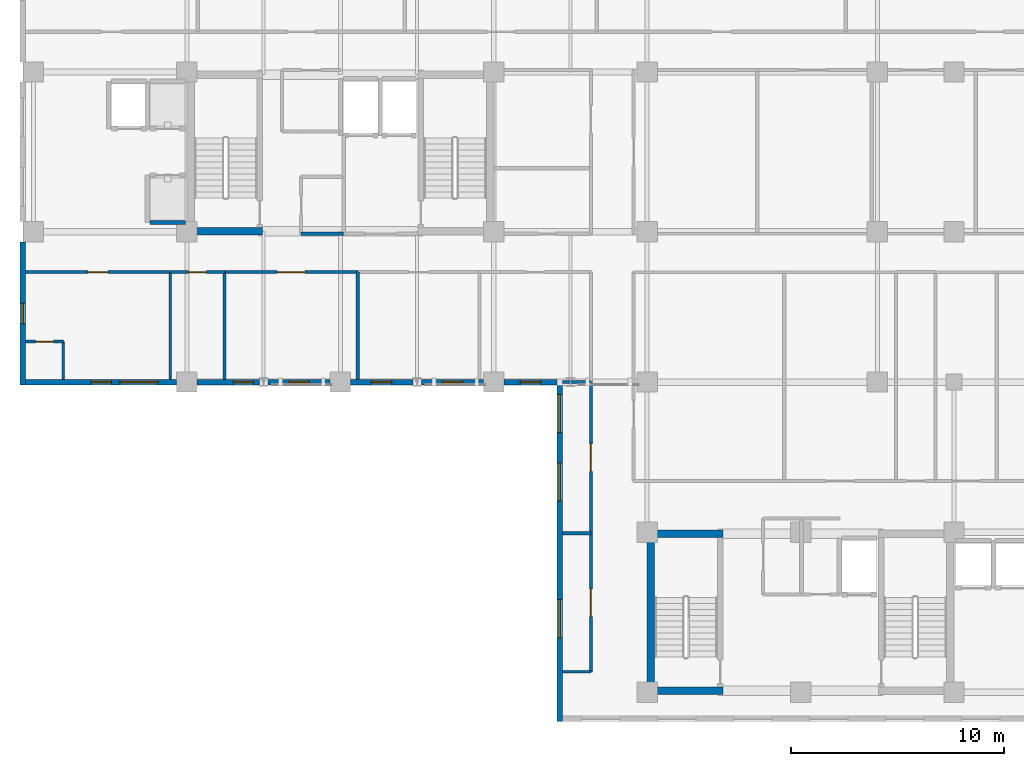
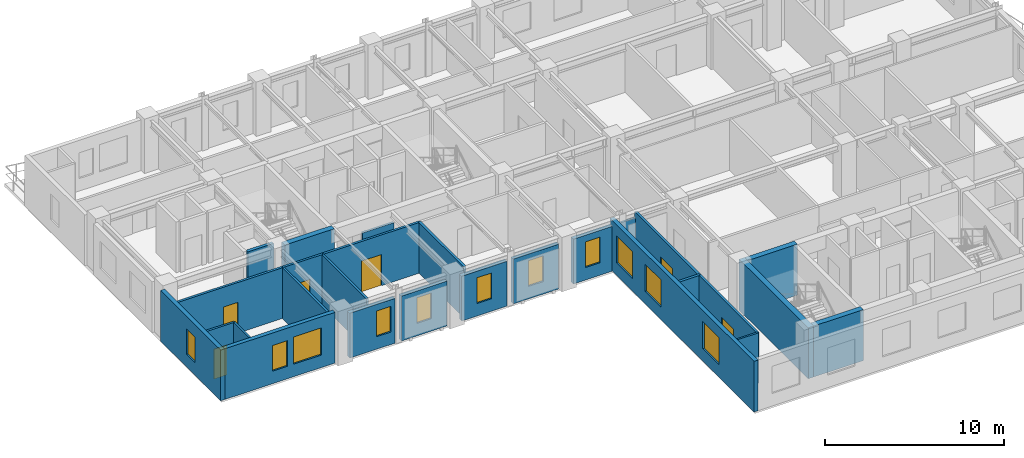
# One storey, part 5 of 14: 27 walls, 11 windows, 6 doors, 17 openings.
"""IFC4 building model written with IfcOpenShell, lengths in metres."""

from ifc_helpers import new_model, si_unit, direction, frame, frame_2d, origin, place, context, subcontext, project, spatial, rectangle, extrude, material, layer, layer_set, type_object, element, fill, save


model = new_model("IFC4")

# Units and contexts
model_context = context("Model", 3, precision=1e-05, world=origin(), true_north=direction((0.0, 1.0)))
body_context = subcontext(model_context, "Body", "Model", "MODEL_VIEW")
ifc_project = project(units=[si_unit("LENGTHUNIT", "METRE"), si_unit("AREAUNIT", "SQUARE_METRE"), si_unit("VOLUMEUNIT", "CUBIC_METRE"), si_unit("PLANEANGLEUNIT", "RADIAN"), si_unit("MASSUNIT", "GRAM", prefix="KILO")], contexts=[model_context])

# Site, building, storey
site_placement = place(None, origin())
site = spatial("IfcSite", under=ifc_project, at=site_placement, CompositionType="ELEMENT")
building_placement = place(site_placement, origin())
building = spatial("IfcBuilding", under=site, at=building_placement, Name="Kaliganga Portal Commons", CompositionType="ELEMENT")
storey_placement = place(building_placement, frame((0.0, 0.0, 220.300048828125)))
storey = spatial("IfcBuildingStorey", under=building, at=storey_placement, Name="L56", CompositionType="ELEMENT", Elevation=220.300048828125)

# Walls
ifc_material_1 = material(Name="Concrete C50/60", Category="concrete")
ifc_layer_1 = layer(ifc_material_1, 0.35009765625)
ifc_layer_set_1 = layer_set([ifc_layer_1], Name="Concrete C50/60")
wall_type_1 = type_object("IfcWallType", Name="WL-CORE-350", PredefinedType="SHEAR", material=ifc_layer_set_1)
wall_1_placement = place(storey_placement, frame((14.75, 28.675048828125, 0.0), z_axis=(0.0, 0.0, 1.0), x_axis=(1.0, 0.0, 0.0)))
element("IfcWall", 1, at=wall_1_placement, inside=storey, type_object=wall_type_1, Name="Core A S-West Shear Wall L56", PredefinedType="SHEAR", context=body_context, shape_type="SweptSolid", body=[
    extrude(rectangle(XDim=3.199951171875, YDim=0.35009765625, at=frame_2d((1.60009765625, 0.0))), origin(), (0.0, 0.0, 1.0), 3.469970703125),
])
wall_2_placement = place(storey_placement, frame((36.175048828125, 6.949951171875, 0.0), z_axis=(0.0, 0.0, 1.0), x_axis=(0.0, 1.0, 0.0)))
element("IfcWall", 2, at=wall_2_placement, inside=storey, type_object=wall_type_1, Name="Core B West Shear Wall L56", PredefinedType="SHEAR", context=body_context, shape_type="SweptSolid", body=[
    extrude(rectangle(XDim=7.699951171875, YDim=0.35009765625, at=frame_2d((3.85009765625, 0.0))), origin(), (0.0, 0.0, 1.0), 3.469970703125),
])
for number, where, z_axis, x_axis, name in (
    (3, (36.35009765625, 7.125, 0.0), (0.0, 0.0, 1.0), (1.0, 0.0, 0.0), "Core B S-West Shear Wall L56"),
    (4, (36.35009765625, 14.47509765625, 0.0), (0.0, 0.0, 1.0), (1.0, 0.0, 0.0), "Core B N-West Shear Wall L56"),
):
    element("IfcWall", number, at=place(storey_placement, frame(where, z_axis=z_axis, x_axis=x_axis)), inside=storey, type_object=wall_type_1, Name=name, PredefinedType="SHEAR", context=body_context, shape_type="SweptSolid", body=[
        extrude(rectangle(XDim=3.199951171875, YDim=0.35009765625, at=frame_2d((1.60009765625, 0.0))), origin(), (0.0, 0.0, 1.0), 3.469970703125),
    ])

# Wall, opening, window
ifc_material_2 = material(Name="Insulated Aluminium-Clad Spandrel Assembly", Category="aluminium")
ifc_layer_2 = layer(ifc_material_2, 0.260009765625)
ifc_layer_set_2 = layer_set([ifc_layer_2], Name="Insulated Aluminium-Clad Spandrel Assembly")
wall_type_2 = type_object("IfcWallType", Name="WL-EXT-SPAND-260", PredefinedType="STANDARD", material=ifc_layer_set_2)
wall_3_placement = place(storey_placement, frame((6.699951171875, 21.469970703125, 0.0), z_axis=(0.0, 0.0, 1.0), x_axis=(0.0, 1.0, 0.0)))
wall_3 = element("IfcWall", 5, at=wall_3_placement, inside=storey, type_object=wall_type_2, Name="Exterior Envelope Wall L56 P1-E03-S3", PredefinedType="STANDARD", context=body_context, shape_type="SweptSolid", body=[
    extrude(rectangle(XDim=6.7041015625, YDim=0.260009765625, at=frame_2d((3.35205078125, 0.0))), origin(), (0.0, 0.0, 1.0), 3.449951171875),
])
opening_1_placement = place(wall_3_placement, frame((2.876953125, 0.0, 0.85009765625)))
opening_1 = element("IfcOpeningElement", 6, at=opening_1_placement, cuts=wall_3, Name="Opening W-04", PredefinedType="OPENING", context=body_context, shape_type="SweptSolid", body=[
    extrude(rectangle(XDim=0.949951171875, YDim=1.75, at=frame_2d((0.47509765625, 0.875))), frame((0.0, 0.14013671875, 0.0), z_axis=(0.0, -1.0, 0.0), x_axis=(1.0, 0.0, 0.0)), (0.0, 0.0, 1.0), 0.280029296875),
])
ifc_material_3 = material(Name="Thermally Broken Aluminium and Low-E Double Glazing", Category="aluminium")
window_type_1 = type_object("IfcWindowType", Name="WIN-NARROW-950", PartitioningType="SINGLE_PANEL", PredefinedType="WINDOW", material=ifc_material_3)
window_1_placement = place(opening_1_placement, origin())
window_1 = element("IfcWindow", 7, at=window_1_placement, inside=storey, type_object=window_type_1, Name="Facade Window L56-P1E03S3-N0", OverallHeight=1.75, OverallWidth=0.949951171875, PartitioningType="SINGLE_PANEL", PredefinedType="WINDOW", context=body_context, shape_type="SweptSolid", body=[
    extrude(rectangle(XDim=0.949951171875, YDim=1.75, at=frame_2d((0.47509765625, 0.875))), frame((0.0, 0.030029296875, 0.0), z_axis=(0.0, -1.0, 0.0), x_axis=(1.0, 0.0, 0.0)), (0.0, 0.0, 1.0), 0.06005859375),
])
fill(opening_1, window_1)

# Wall, openings, windows
wall_4_placement = place(storey_placement, frame((13.924072265625, 21.60009765625, 0.0), z_axis=(0.0, 0.0, 1.0), x_axis=(-1.0, 0.0, 0.0)))
wall_4 = element("IfcWall", 8, at=wall_4_placement, inside=storey, type_object=wall_type_2, Name="Exterior Envelope Wall L56 P1-E04-S1", PredefinedType="STANDARD", context=body_context, shape_type="SweptSolid", body=[
    extrude(rectangle(XDim=7.089111328125, YDim=0.260009765625, at=frame_2d((3.54443359375, 0.0))), origin(), (0.0, 0.0, 1.0), 3.449951171875),
])
opening_2_placement = place(wall_4_placement, frame((0.872314453125, 0.0, 0.85009765625)))
opening_2 = element("IfcOpeningElement", 9, at=opening_2_placement, cuts=wall_4, Name="Opening W-01", PredefinedType="OPENING", context=body_context, shape_type="SweptSolid", body=[
    extrude(rectangle(XDim=1.800048828125, YDim=1.85009765625, at=frame_2d((0.89990234375, 0.925048828125))), frame((0.0, 0.14013671875, 0.0), z_axis=(0.0, -1.0, 0.0), x_axis=(1.0, 0.0, 0.0)), (0.0, 0.0, 1.0), 0.280029296875),
])
opening_3_placement = place(wall_4_placement, frame((3.069580078125, 0.0, 0.85009765625)))
opening_3 = element("IfcOpeningElement", 10, at=opening_3_placement, cuts=wall_4, Name="Opening W-04", PredefinedType="OPENING", context=body_context, shape_type="SweptSolid", body=[
    extrude(rectangle(XDim=0.949951171875, YDim=1.75, at=frame_2d((0.47509765625, 0.875))), frame((0.0, 0.14013671875, 0.0), z_axis=(0.0, -1.0, 0.0), x_axis=(1.0, 0.0, 0.0)), (0.0, 0.0, 1.0), 0.280029296875),
])
window_2_placement = place(opening_3_placement, origin())
window_2 = element("IfcWindow", 11, at=window_2_placement, inside=storey, type_object=window_type_1, Name="Facade Window L56-P1E04S1-N0", OverallHeight=1.75, OverallWidth=0.949951171875, PartitioningType="SINGLE_PANEL", PredefinedType="WINDOW", context=body_context, shape_type="SweptSolid", body=[
    extrude(rectangle(XDim=0.949951171875, YDim=1.75, at=frame_2d((0.47509765625, 0.875))), frame((0.0, 0.030029296875, 0.0), z_axis=(0.0, -1.0, 0.0), x_axis=(1.0, 0.0, 0.0)), (0.0, 0.0, 1.0), 0.06005859375),
])
fill(opening_3, window_2)
window_type_2 = type_object("IfcWindowType", Name="WIN-STD-1800", PartitioningType="DOUBLE_PANEL_VERTICAL", PredefinedType="WINDOW", material=ifc_material_3)
window_3_placement = place(opening_2_placement, origin())
window_3 = element("IfcWindow", 12, at=window_3_placement, inside=storey, type_object=window_type_2, Name="Facade Window L56-P1E04S1-00", OverallHeight=1.85009765625, OverallWidth=1.800048828125, PartitioningType="SINGLE_PANEL", PredefinedType="WINDOW", context=body_context, shape_type="SweptSolid", body=[
    extrude(rectangle(XDim=1.800048828125, YDim=1.85009765625, at=frame_2d((0.89990234375, 0.925048828125))), frame((0.0, 0.030029296875, 0.0), z_axis=(0.0, -1.0, 0.0), x_axis=(1.0, 0.0, 0.0)), (0.0, 0.0, 1.0), 0.06005859375),
])
fill(opening_2, window_3)

# Wall, opening, window
wall_5_placement = place(storey_placement, frame((17.799560546875, 21.60009765625, 0.0), z_axis=(0.0, 0.0, 1.0), x_axis=(-1.0, 0.0, 0.0)))
wall_5 = element("IfcWall", 13, at=wall_5_placement, inside=storey, type_object=wall_type_2, Name="Exterior Envelope Wall L56 P1-E04-S2", PredefinedType="STANDARD", context=body_context, shape_type="SweptSolid", body=[
    extrude(rectangle(XDim=2.923583984375, YDim=0.260009765625, at=frame_2d((1.4619140625, 0.0))), origin(), (0.0, 0.0, 1.0), 3.050048828125),
])
opening_4_placement = place(wall_5_placement, frame((0.26171875, 0.0, 0.85009765625)))
opening_4 = element("IfcOpeningElement", 14, at=opening_4_placement, cuts=wall_5, Name="Opening W-04", PredefinedType="OPENING", context=body_context, shape_type="SweptSolid", body=[
    extrude(rectangle(XDim=0.949951171875, YDim=1.75, at=frame_2d((0.47509765625, 0.875))), frame((0.0, 0.14013671875, 0.0), z_axis=(0.0, -1.0, 0.0), x_axis=(1.0, 0.0, 0.0)), (0.0, 0.0, 1.0), 0.280029296875),
])
window_4_placement = place(opening_4_placement, origin())
window_4 = element("IfcWindow", 15, at=window_4_placement, inside=storey, type_object=window_type_1, Name="Facade Window L56-P1E04S2-N1", OverallHeight=1.75, OverallWidth=0.949951171875, PartitioningType="SINGLE_PANEL", PredefinedType="WINDOW", context=body_context, shape_type="SweptSolid", body=[
    extrude(rectangle(XDim=0.949951171875, YDim=1.75, at=frame_2d((0.47509765625, 0.875))), frame((0.0, 0.030029296875, 0.0), z_axis=(0.0, -1.0, 0.0), x_axis=(1.0, 0.0, 0.0)), (0.0, 0.0, 1.0), 0.06005859375),
])
fill(opening_4, window_4)

wall_6_placement = place(storey_placement, frame((21.1240234375, 21.60009765625, 0.0), z_axis=(0.0, 0.0, 1.0), x_axis=(-1.0, 0.0, 0.0)))
wall_6 = element("IfcWall", 16, at=wall_6_placement, inside=storey, type_object=wall_type_2, Name="Exterior Envelope Wall L56 P1-E04-S3", PredefinedType="STANDARD", context=body_context, shape_type="SweptSolid", body=[
    extrude(rectangle(XDim=2.923583984375, YDim=0.260009765625, at=frame_2d((1.4619140625, 0.0))), origin(), (0.0, 0.0, 1.0), 3.050048828125),
])
opening_5_placement = place(wall_6_placement, frame((0.98681640625, 0.0, 0.85009765625)))
opening_5 = element("IfcOpeningElement", 17, at=opening_5_placement, cuts=wall_6, Name="Opening W-04", PredefinedType="OPENING", context=body_context, shape_type="SweptSolid", body=[
    extrude(rectangle(XDim=0.949951171875, YDim=1.75, at=frame_2d((0.47509765625, 0.875))), frame((0.0, 0.14013671875, 0.0), z_axis=(0.0, -1.0, 0.0), x_axis=(1.0, 0.0, 0.0)), (0.0, 0.0, 1.0), 0.280029296875),
])
window_5_placement = place(opening_5_placement, origin())
window_5 = element("IfcWindow", 18, at=window_5_placement, inside=storey, type_object=window_type_1, Name="Facade Window L56-P1E04S3-00", OverallHeight=1.75, OverallWidth=0.949951171875, PartitioningType="SINGLE_PANEL", PredefinedType="WINDOW", context=body_context, shape_type="SweptSolid", body=[
    extrude(rectangle(XDim=0.949951171875, YDim=1.75, at=frame_2d((0.47509765625, 0.875))), frame((0.0, 0.030029296875, 0.0), z_axis=(0.0, -1.0, 0.0), x_axis=(1.0, 0.0, 0.0)), (0.0, 0.0, 1.0), 0.06005859375),
])
fill(opening_5, window_5)

wall_7_placement = place(storey_placement, frame((24.99951171875, 21.60009765625, 0.0), z_axis=(0.0, 0.0, 1.0), x_axis=(-1.0, 0.0, 0.0)))
wall_7 = element("IfcWall", 19, at=wall_7_placement, inside=storey, type_object=wall_type_2, Name="Exterior Envelope Wall L56 P1-E04-S4", PredefinedType="STANDARD", context=body_context, shape_type="SweptSolid", body=[
    extrude(rectangle(XDim=2.923583984375, YDim=0.260009765625, at=frame_2d((1.4619140625, 0.0))), origin(), (0.0, 0.0, 1.0), 3.050048828125),
])
opening_6_placement = place(wall_7_placement, frame((0.98681640625, 0.0, 0.85009765625)))
opening_6 = element("IfcOpeningElement", 20, at=opening_6_placement, cuts=wall_7, Name="Opening W-04", PredefinedType="OPENING", context=body_context, shape_type="SweptSolid", body=[
    extrude(rectangle(XDim=0.949951171875, YDim=1.75, at=frame_2d((0.47509765625, 0.875))), frame((0.0, 0.14013671875, 0.0), z_axis=(0.0, -1.0, 0.0), x_axis=(1.0, 0.0, 0.0)), (0.0, 0.0, 1.0), 0.280029296875),
])
window_6_placement = place(opening_6_placement, origin())
window_6 = element("IfcWindow", 21, at=window_6_placement, inside=storey, type_object=window_type_1, Name="Facade Window L56-P1E04S4-00", OverallHeight=1.75, OverallWidth=0.949951171875, PartitioningType="SINGLE_PANEL", PredefinedType="WINDOW", context=body_context, shape_type="SweptSolid", body=[
    extrude(rectangle(XDim=0.949951171875, YDim=1.75, at=frame_2d((0.47509765625, 0.875))), frame((0.0, 0.030029296875, 0.0), z_axis=(0.0, -1.0, 0.0), x_axis=(1.0, 0.0, 0.0)), (0.0, 0.0, 1.0), 0.06005859375),
])
fill(opening_6, window_6)

wall_8_placement = place(storey_placement, frame((28.323974609375, 21.60009765625, 0.0), z_axis=(0.0, 0.0, 1.0), x_axis=(-1.0, 0.0, 0.0)))
wall_8 = element("IfcWall", 22, at=wall_8_placement, inside=storey, type_object=wall_type_2, Name="Exterior Envelope Wall L56 P1-E04-S5", PredefinedType="STANDARD", context=body_context, shape_type="SweptSolid", body=[
    extrude(rectangle(XDim=2.923583984375, YDim=0.260009765625, at=frame_2d((1.4619140625, 0.0))), origin(), (0.0, 0.0, 1.0), 3.050048828125),
])
opening_7_placement = place(wall_8_placement, frame((0.98681640625, 0.0, 0.85009765625)))
opening_7 = element("IfcOpeningElement", 23, at=opening_7_placement, cuts=wall_8, Name="Opening W-04", PredefinedType="OPENING", context=body_context, shape_type="SweptSolid", body=[
    extrude(rectangle(XDim=0.949951171875, YDim=1.75, at=frame_2d((0.47509765625, 0.875))), frame((0.0, 0.14013671875, 0.0), z_axis=(0.0, -1.0, 0.0), x_axis=(1.0, 0.0, 0.0)), (0.0, 0.0, 1.0), 0.280029296875),
])
window_7_placement = place(opening_7_placement, origin())
window_7 = element("IfcWindow", 24, at=window_7_placement, inside=storey, type_object=window_type_1, Name="Facade Window L56-P1E04S5-00", OverallHeight=1.75, OverallWidth=0.949951171875, PartitioningType="SINGLE_PANEL", PredefinedType="WINDOW", context=body_context, shape_type="SweptSolid", body=[
    extrude(rectangle(XDim=0.949951171875, YDim=1.75, at=frame_2d((0.47509765625, 0.875))), frame((0.0, 0.030029296875, 0.0), z_axis=(0.0, -1.0, 0.0), x_axis=(1.0, 0.0, 0.0)), (0.0, 0.0, 1.0), 0.06005859375),
])
fill(opening_7, window_7)

wall_9_placement = place(storey_placement, frame((31.764892578125, 21.60009765625, 0.0), z_axis=(0.0, 0.0, 1.0), x_axis=(-1.0, 0.0, 0.0)))
wall_9 = element("IfcWall", 25, at=wall_9_placement, inside=storey, type_object=wall_type_2, Name="Exterior Envelope Wall L56 P1-E04-S6", PredefinedType="STANDARD", context=body_context, shape_type="SweptSolid", body=[
    extrude(rectangle(XDim=2.489013671875, YDim=0.260009765625, at=frame_2d((1.24462890625, 0.0))), origin(), (0.0, 0.0, 1.0), 3.050048828125),
])
opening_8_placement = place(wall_9_placement, frame((0.76953125, 0.0, 0.85009765625)))
opening_8 = element("IfcOpeningElement", 26, at=opening_8_placement, cuts=wall_9, Name="Opening W-04", PredefinedType="OPENING", context=body_context, shape_type="SweptSolid", body=[
    extrude(rectangle(XDim=0.949951171875, YDim=1.75, at=frame_2d((0.47509765625, 0.875))), frame((0.0, 0.14013671875, 0.0), z_axis=(0.0, -1.0, 0.0), x_axis=(1.0, 0.0, 0.0)), (0.0, 0.0, 1.0), 0.280029296875),
])
window_8_placement = place(opening_8_placement, origin())
window_8 = element("IfcWindow", 27, at=window_8_placement, inside=storey, type_object=window_type_1, Name="Facade Window L56-P1E04S6-00", OverallHeight=1.75, OverallWidth=0.949951171875, PartitioningType="SINGLE_PANEL", PredefinedType="WINDOW", context=body_context, shape_type="SweptSolid", body=[
    extrude(rectangle(XDim=0.949951171875, YDim=1.75, at=frame_2d((0.47509765625, 0.875))), frame((0.0, 0.030029296875, 0.0), z_axis=(0.0, -1.0, 0.0), x_axis=(1.0, 0.0, 0.0)), (0.0, 0.0, 1.0), 0.06005859375),
])
fill(opening_8, window_8)

# Wall, openings, windows
wall_10_placement = place(storey_placement, frame((31.89990234375, 5.669921875, 0.0), z_axis=(0.0, 0.0, 1.0), x_axis=(0.0, 1.0, 0.0)))
wall_10 = element("IfcWall", 28, at=wall_10_placement, inside=storey, type_object=wall_type_2, Name="Exterior Envelope Wall L56 P1-E05-S1", PredefinedType="STANDARD", context=body_context, shape_type="SweptSolid", body=[
    extrude(rectangle(XDim=16.06005859375, YDim=0.260009765625, at=frame_2d((8.030029296875, 0.0))), origin(), (0.0, 0.0, 1.0), 3.449951171875),
])
opening_9_placement = place(wall_10_placement, frame((3.91796875, 0.0, 0.85009765625)))
opening_9 = element("IfcOpeningElement", 29, at=opening_9_placement, cuts=wall_10, Name="Opening W-01", PredefinedType="OPENING", context=body_context, shape_type="SweptSolid", body=[
    extrude(rectangle(XDim=1.800048828125, YDim=1.85009765625, at=frame_2d((0.89990234375, 0.925048828125))), frame((0.0, 0.14013671875, 0.0), z_axis=(0.0, -1.0, 0.0), x_axis=(1.0, 0.0, 0.0)), (0.0, 0.0, 1.0), 0.280029296875),
])
opening_10_placement = place(wall_10_placement, frame((10.342041015625, 0.0, 0.85009765625)))
opening_10 = element("IfcOpeningElement", 30, at=opening_10_placement, cuts=wall_10, Name="Opening W-01", PredefinedType="OPENING", context=body_context, shape_type="SweptSolid", body=[
    extrude(rectangle(XDim=1.800048828125, YDim=1.85009765625, at=frame_2d((0.89990234375, 0.925048828125))), frame((0.0, 0.14013671875, 0.0), z_axis=(0.0, -1.0, 0.0), x_axis=(1.0, 0.0, 0.0)), (0.0, 0.0, 1.0), 0.280029296875),
])
opening_11_placement = place(wall_10_placement, frame((13.553955078125, 0.0, 0.85009765625)))
opening_11 = element("IfcOpeningElement", 31, at=opening_11_placement, cuts=wall_10, Name="Opening W-01", PredefinedType="OPENING", context=body_context, shape_type="SweptSolid", body=[
    extrude(rectangle(XDim=1.800048828125, YDim=1.85009765625, at=frame_2d((0.89990234375, 0.925048828125))), frame((0.0, 0.14013671875, 0.0), z_axis=(0.0, -1.0, 0.0), x_axis=(1.0, 0.0, 0.0)), (0.0, 0.0, 1.0), 0.280029296875),
])
window_9_placement = place(opening_9_placement, origin())
window_9 = element("IfcWindow", 32, at=window_9_placement, inside=storey, type_object=window_type_2, Name="Facade Window L56-P1E05S1-01", OverallHeight=1.85009765625, OverallWidth=1.800048828125, PartitioningType="SINGLE_PANEL", PredefinedType="WINDOW", context=body_context, shape_type="SweptSolid", body=[
    extrude(rectangle(XDim=1.800048828125, YDim=1.85009765625, at=frame_2d((0.89990234375, 0.925048828125))), frame((0.0, 0.030029296875, 0.0), z_axis=(0.0, -1.0, 0.0), x_axis=(1.0, 0.0, 0.0)), (0.0, 0.0, 1.0), 0.06005859375),
])
fill(opening_9, window_9)
window_10_placement = place(opening_10_placement, origin())
window_10 = element("IfcWindow", 33, at=window_10_placement, inside=storey, type_object=window_type_2, Name="Facade Window L56-P1E05S1-03", OverallHeight=1.85009765625, OverallWidth=1.800048828125, PartitioningType="SINGLE_PANEL", PredefinedType="WINDOW", context=body_context, shape_type="SweptSolid", body=[
    extrude(rectangle(XDim=1.800048828125, YDim=1.85009765625, at=frame_2d((0.89990234375, 0.925048828125))), frame((0.0, 0.030029296875, 0.0), z_axis=(0.0, -1.0, 0.0), x_axis=(1.0, 0.0, 0.0)), (0.0, 0.0, 1.0), 0.06005859375),
])
fill(opening_10, window_10)
window_11_placement = place(opening_11_placement, origin())
window_11 = element("IfcWindow", 34, at=window_11_placement, inside=storey, type_object=window_type_2, Name="Facade Window L56-P1E05S1-04", OverallHeight=1.85009765625, OverallWidth=1.800048828125, PartitioningType="SINGLE_PANEL", PredefinedType="WINDOW", context=body_context, shape_type="SweptSolid", body=[
    extrude(rectangle(XDim=1.800048828125, YDim=1.85009765625, at=frame_2d((0.89990234375, 0.925048828125))), frame((0.0, 0.030029296875, 0.0), z_axis=(0.0, -1.0, 0.0), x_axis=(1.0, 0.0, 0.0)), (0.0, 0.0, 1.0), 0.06005859375),
])
fill(opening_11, window_11)

# Wall, opening, door
ifc_material_4 = material(Name="Fire-Rated Gypsum Board on Steel Stud", Category="steel")
ifc_layer_3 = layer(ifc_material_4, 0.14990234375)
ifc_layer_set_3 = layer_set([ifc_layer_3], Name="Fire-Rated Gypsum Board on Steel Stud")
wall_type_3 = type_object("IfcWallType", Name="WL-PART-CORR-150", PredefinedType="PARTITIONING", material=ifc_layer_set_3)
wall_11_placement = place(storey_placement, frame((33.360107421875, 14.5, 0.0), z_axis=(0.0, 0.0, 1.0), x_axis=(0.0, 1.0, 0.0)))
wall_11 = element("IfcWall", 35, at=wall_11_placement, inside=storey, type_object=wall_type_3, Name="Interior Partition L56-015", PredefinedType="PARTITIONING", context=body_context, shape_type="SweptSolid", body=[
    extrude(rectangle(XDim=7.10009765625, YDim=0.14990234375, at=frame_2d((3.550048828125, 0.0))), origin(), (0.0, 0.0, 1.0), 3.449951171875),
])
opening_12_placement = place(wall_11_placement, frame((2.89990234375, 0.0, 0.0)))
opening_12 = element("IfcOpeningElement", 36, at=opening_12_placement, cuts=wall_11, Name="Opening RD-03", PredefinedType="OPENING", context=body_context, shape_type="SweptSolid", body=[
    extrude(rectangle(XDim=1.300048828125, YDim=2.1201171875, at=frame_2d((0.64990234375, 1.06005859375))), frame((0.0, 0.0849609375, 0.0), z_axis=(0.0, -1.0, 0.0), x_axis=(1.0, 0.0, 0.0)), (0.0, 0.0, 1.0), 0.169921875),
])
ifc_material_5 = material(Name="Glazed Timber Seminar Vision Door", Category="wood")
door_type_1 = type_object("IfcDoorType", Name="DR-STUDY-1300", OperationType="DOUBLE_DOOR_SINGLE_SWING", PredefinedType="DOOR", material=ifc_material_5)
door_1_placement = place(opening_12_placement, origin())
door_1 = element("IfcDoor", 37, at=door_1_placement, inside=storey, type_object=door_type_1, Name="Interior Door L56-KW02", OperationType="DOUBLE_DOOR_SINGLE_SWING", OverallHeight=2.1201171875, OverallWidth=1.300048828125, PredefinedType="DOOR", context=body_context, shape_type="SweptSolid", body=[
    extrude(rectangle(XDim=1.300048828125, YDim=2.1201171875, at=frame_2d((0.64990234375, 1.06005859375))), frame((0.0, 0.02490234375, 0.0), z_axis=(0.0, -1.0, 0.0), x_axis=(1.0, 0.0, 0.0)), (0.0, 0.0, 1.0), 0.050048828125),
])
fill(opening_12, door_1)

wall_12_placement = place(storey_placement, frame((6.83203125, 26.760009765625, 0.0), z_axis=(0.0, 0.0, 1.0), x_axis=(1.0, 0.0, 0.0)))
wall_12 = element("IfcWall", 38, at=wall_12_placement, inside=storey, type_object=wall_type_3, Name="Interior Partition L56-017", PredefinedType="PARTITIONING", context=body_context, shape_type="SweptSolid", body=[
    extrude(rectangle(XDim=6.7880859375, YDim=0.14990234375, at=frame_2d((3.39404296875, 0.0))), origin(), (0.0, 0.0, 1.0), 3.449951171875),
])
opening_13_placement = place(wall_12_placement, frame((2.9189453125, 0.0, 0.0)))
opening_13 = element("IfcOpeningElement", 39, at=opening_13_placement, cuts=wall_12, Name="Opening UD-01", PredefinedType="OPENING", context=body_context, shape_type="SweptSolid", body=[
    extrude(rectangle(XDim=0.949951171875, YDim=2.10009765625, at=frame_2d((0.47509765625, 1.050048828125))), frame((0.0, 0.0849609375, 0.0), z_axis=(0.0, -1.0, 0.0), x_axis=(1.0, 0.0, 0.0)), (0.0, 0.0, 1.0), 0.169921875),
])
ifc_material_6 = material(Name="Solid-Core Timber Acoustic Fire Door", Category="wood")
door_type_2 = type_object("IfcDoorType", Name="DR-UNIT-950", OperationType="NOTDEFINED", PredefinedType="DOOR", material=ifc_material_6)
door_2_placement = place(opening_13_placement, origin())
door_2 = element("IfcDoor", 40, at=door_2_placement, inside=storey, type_object=door_type_2, Name="Interior Door L56-AS01", OperationType="SINGLE_SWING_LEFT", OverallHeight=2.10009765625, OverallWidth=0.949951171875, PredefinedType="DOOR", context=body_context, shape_type="SweptSolid", body=[
    extrude(rectangle(XDim=0.949951171875, YDim=2.10009765625, at=frame_2d((0.47509765625, 1.050048828125))), frame((0.0, 0.02490234375, 0.0), z_axis=(0.0, -1.0, 0.0), x_axis=(1.0, 0.0, 0.0)), (0.0, 0.0, 1.0), 0.050048828125),
])
fill(opening_13, door_2)

wall_13_placement = place(storey_placement, frame((33.360107421875, 8.0, 0.0), z_axis=(0.0, 0.0, 1.0), x_axis=(0.0, 1.0, 0.0)))
wall_13 = element("IfcWall", 41, at=wall_13_placement, inside=storey, type_object=wall_type_3, Name="Interior Partition L56-018", PredefinedType="PARTITIONING", context=body_context, shape_type="SweptSolid", body=[
    extrude(rectangle(XDim=6.5, YDim=0.14990234375, at=frame_2d((3.25, 0.0))), origin(), (0.0, 0.0, 1.0), 3.449951171875),
])
opening_14_placement = place(wall_13_placement, frame((2.60009765625, 0.0, 0.0)))
opening_14 = element("IfcOpeningElement", 42, at=opening_14_placement, cuts=wall_13, Name="Opening RD-03", PredefinedType="OPENING", context=body_context, shape_type="SweptSolid", body=[
    extrude(rectangle(XDim=1.300048828125, YDim=2.1201171875, at=frame_2d((0.64990234375, 1.06005859375))), frame((0.0, 0.0849609375, 0.0), z_axis=(0.0, -1.0, 0.0), x_axis=(1.0, 0.0, 0.0)), (0.0, 0.0, 1.0), 0.169921875),
])
door_3_placement = place(opening_14_placement, origin())
door_3 = element("IfcDoor", 43, at=door_3_placement, inside=storey, type_object=door_type_1, Name="Interior Door L56-KW01", OperationType="DOUBLE_DOOR_SINGLE_SWING", OverallHeight=2.1201171875, OverallWidth=1.300048828125, PredefinedType="DOOR", context=body_context, shape_type="SweptSolid", body=[
    extrude(rectangle(XDim=1.300048828125, YDim=2.1201171875, at=frame_2d((0.64990234375, 1.06005859375))), frame((0.0, 0.02490234375, 0.0), z_axis=(0.0, -1.0, 0.0), x_axis=(1.0, 0.0, 0.0)), (0.0, 0.0, 1.0), 0.050048828125),
])
fill(opening_14, door_3)

wall_14_placement = place(storey_placement, frame((16.159912109375, 26.760009765625, 0.0), z_axis=(0.0, 0.0, 1.0), x_axis=(1.0, 0.0, 0.0)))
wall_14 = element("IfcWall", 44, at=wall_14_placement, inside=storey, type_object=wall_type_3, Name="Interior Partition L56-019", PredefinedType="PARTITIONING", context=body_context, shape_type="SweptSolid", body=[
    extrude(rectangle(XDim=6.260009765625, YDim=0.14990234375, at=frame_2d((3.1298828125, 0.0))), origin(), (0.0, 0.0, 1.0), 3.449951171875),
])
opening_15_placement = place(wall_14_placement, frame((2.47998046875, 0.0, 0.0)))
opening_15 = element("IfcOpeningElement", 45, at=opening_15_placement, cuts=wall_14, Name="Opening RD-03", PredefinedType="OPENING", context=body_context, shape_type="SweptSolid", body=[
    extrude(rectangle(XDim=1.300048828125, YDim=2.1201171875, at=frame_2d((0.64990234375, 1.06005859375))), frame((0.0, 0.0849609375, 0.0), z_axis=(0.0, -1.0, 0.0), x_axis=(1.0, 0.0, 0.0)), (0.0, 0.0, 1.0), 0.169921875),
])
door_4_placement = place(opening_15_placement, origin())
door_4 = element("IfcDoor", 46, at=door_4_placement, inside=storey, type_object=door_type_1, Name="Interior Door L56-AS03", OperationType="DOUBLE_DOOR_SINGLE_SWING", OverallHeight=2.1201171875, OverallWidth=1.300048828125, PredefinedType="DOOR", context=body_context, shape_type="SweptSolid", body=[
    extrude(rectangle(XDim=1.300048828125, YDim=2.1201171875, at=frame_2d((0.64990234375, 1.06005859375))), frame((0.0, 0.02490234375, 0.0), z_axis=(0.0, -1.0, 0.0), x_axis=(1.0, 0.0, 0.0)), (0.0, 0.0, 1.0), 0.050048828125),
])
fill(opening_15, door_4)

wall_15_placement = place(storey_placement, frame((13.6201171875, 26.760009765625, 0.0), z_axis=(0.0, 0.0, 1.0), x_axis=(1.0, 0.0, 0.0)))
wall_15 = element("IfcWall", 47, at=wall_15_placement, inside=storey, type_object=wall_type_3, Name="Interior Partition L56-038", PredefinedType="PARTITIONING", context=body_context, shape_type="SweptSolid", body=[
    extrude(rectangle(XDim=2.539794921875, YDim=0.14990234375, at=frame_2d((1.27001953125, 0.0))), origin(), (0.0, 0.0, 1.0), 3.449951171875),
])
opening_16_placement = place(wall_15_placement, frame((0.844970703125, 0.0, 0.0)))
opening_16 = element("IfcOpeningElement", 48, at=opening_16_placement, cuts=wall_15, Name="Opening WD-01", PredefinedType="OPENING", context=body_context, shape_type="SweptSolid", body=[
    extrude(rectangle(XDim=0.85009765625, YDim=2.0400390625, at=frame_2d((0.425048828125, 1.02001953125))), frame((0.0, 0.0849609375, 0.0), z_axis=(0.0, -1.0, 0.0), x_axis=(1.0, 0.0, 0.0)), (0.0, 0.0, 1.0), 0.169921875),
])
ifc_material_7 = material(Name="Moisture-Resistant Laminate Timber Door", Category="wood")
door_type_3 = type_object("IfcDoorType", Name="DR-WET-850", OperationType="NOTDEFINED", PredefinedType="DOOR", material=ifc_material_7)
door_5_placement = place(opening_16_placement, origin())
door_5 = element("IfcDoor", 49, at=door_5_placement, inside=storey, type_object=door_type_3, Name="Interior Door L56-AS02", OperationType="SINGLE_SWING_LEFT", OverallHeight=2.0400390625, OverallWidth=0.85009765625, PredefinedType="DOOR", context=body_context, shape_type="SweptSolid", body=[
    extrude(rectangle(XDim=0.85009765625, YDim=2.0400390625, at=frame_2d((0.425048828125, 1.02001953125))), frame((0.0, 0.02490234375, 0.0), z_axis=(0.0, -1.0, 0.0), x_axis=(1.0, 0.0, 0.0)), (0.0, 0.0, 1.0), 0.050048828125),
])
fill(opening_16, door_5)

# Walls
wall_16_placement = place(storey_placement, frame((19.760009765625, 28.56005859375, 0.0), z_axis=(0.0, 0.0, 1.0), x_axis=(1.0, 0.0, 0.0)))
element("IfcWall", 50, at=wall_16_placement, inside=storey, type_object=wall_type_3, Name="Interior Partition L56-039", PredefinedType="PARTITIONING", context=body_context, shape_type="SweptSolid", body=[
    extrude(rectangle(XDim=2.0, YDim=0.14990234375, at=frame_2d((1.0, 0.0))), origin(), (0.0, 0.0, 1.0), 2.550048828125),
])
ifc_material_8 = material(Name="Moisture-Resistant Gypsum Partition", Category="gypsum")
ifc_layer_4 = layer(ifc_material_8, 0.114990234375)
ifc_layer_set_4 = layer_set([ifc_layer_4], Name="Moisture-Resistant Gypsum Partition")
wall_type_4 = type_object("IfcWallType", Name="WL-PART-ROOM-115", PredefinedType="PARTITIONING", material=ifc_layer_set_4)
wall_17_placement = place(storey_placement, frame((32.031982421875, 8.0, 0.0), z_axis=(0.0, 0.0, 1.0), x_axis=(1.0, 0.0, 0.0)))
element("IfcWall", 51, at=wall_17_placement, inside=storey, type_object=wall_type_4, Name="Interior Partition L56-080", PredefinedType="PARTITIONING", context=body_context, shape_type="SweptSolid", body=[
    extrude(rectangle(XDim=1.328125, YDim=0.114990234375, at=frame_2d((0.6640625, 0.0))), origin(), (0.0, 0.0, 1.0), 3.449951171875),
])
ifc_material_9 = material(Name="Twin-Stud Acoustic Gypsum Partition", Category="gypsum")
ifc_layer_5 = layer(ifc_material_9, 0.1650390625)
ifc_layer_set_5 = layer_set([ifc_layer_5], Name="Twin-Stud Acoustic Gypsum Partition")
wall_type_5 = type_object("IfcWallType", Name="WL-PART-UNIT-165", PredefinedType="PARTITIONING", material=ifc_layer_set_5)
wall_18_placement = place(storey_placement, frame((22.419921875, 21.73193359375, 0.0), z_axis=(0.0, 0.0, 1.0), x_axis=(0.0, 1.0, 0.0)))
element("IfcWall", 52, at=wall_18_placement, inside=storey, type_object=wall_type_5, Name="Interior Partition L56-070", PredefinedType="PARTITIONING", context=body_context, shape_type="SweptSolid", body=[
    extrude(rectangle(XDim=5.028076171875, YDim=0.1650390625, at=frame_2d((2.51416015625, 0.0))), origin(), (0.0, 0.0, 1.0), 3.449951171875),
])
wall_19_placement = place(storey_placement, frame((32.031982421875, 14.5, 0.0), z_axis=(0.0, 0.0, 1.0), x_axis=(1.0, 0.0, 0.0)))
element("IfcWall", 53, at=wall_19_placement, inside=storey, type_object=wall_type_5, Name="Interior Partition L56-081", PredefinedType="PARTITIONING", context=body_context, shape_type="SweptSolid", body=[
    extrude(rectangle(XDim=1.328125, YDim=0.1650390625, at=frame_2d((0.6640625, 0.0))), origin(), (0.0, 0.0, 1.0), 3.449951171875),
])

# Wall, opening, door
ifc_material_10 = material(Name="Cement-Board Wet-Room Partition", Category="gypsum")
ifc_layer_6 = layer(ifc_material_10, 0.135009765625)
ifc_layer_set_6 = layer_set([ifc_layer_6], Name="Cement-Board Wet-Room Partition")
wall_type_6 = type_object("IfcWallType", Name="WL-PART-WET-135", PredefinedType="PARTITIONING", material=ifc_layer_set_6)
wall_20_placement = place(storey_placement, frame((6.83203125, 23.5, 0.0), z_axis=(0.0, 0.0, 1.0), x_axis=(1.0, 0.0, 0.0)))
wall_20 = element("IfcWall", 54, at=wall_20_placement, inside=storey, type_object=wall_type_6, Name="Interior Partition L56-002", PredefinedType="PARTITIONING", context=body_context, shape_type="SweptSolid", body=[
    extrude(rectangle(XDim=1.76806640625, YDim=0.135009765625, at=frame_2d((0.884033203125, 0.0))), origin(), (0.0, 0.0, 1.0), 3.449951171875),
])
opening_17_placement = place(wall_20_placement, frame((0.458984375, 0.0, 0.0)))
opening_17 = element("IfcOpeningElement", 55, at=opening_17_placement, cuts=wall_20, Name="Opening WD-01", PredefinedType="OPENING", context=body_context, shape_type="SweptSolid", body=[
    extrude(rectangle(XDim=0.85009765625, YDim=2.0400390625, at=frame_2d((0.425048828125, 1.02001953125))), frame((0.0, 0.07763671875, 0.0), z_axis=(0.0, -1.0, 0.0), x_axis=(1.0, 0.0, 0.0)), (0.0, 0.0, 1.0), 0.155029296875),
])
door_6_placement = place(opening_17_placement, origin())
door_6 = element("IfcDoor", 56, at=door_6_placement, inside=storey, type_object=door_type_3, Name="Interior Door L56-AS01E", OperationType="SINGLE_SWING_RIGHT", OverallHeight=2.0400390625, OverallWidth=0.85009765625, PredefinedType="DOOR", context=body_context, shape_type="SweptSolid", body=[
    extrude(rectangle(XDim=0.85009765625, YDim=2.0400390625, at=frame_2d((0.425048828125, 1.02001953125))), frame((0.0, 0.02490234375, 0.0), z_axis=(0.0, -1.0, 0.0), x_axis=(1.0, 0.0, 0.0)), (0.0, 0.0, 1.0), 0.050048828125),
])
fill(opening_17, door_6)

# Walls
wall_21_placement = place(storey_placement, frame((8.60009765625, 21.73193359375, 0.0), z_axis=(0.0, 0.0, 1.0), x_axis=(0.0, 1.0, 0.0)))
element("IfcWall", 57, at=wall_21_placement, inside=storey, type_object=wall_type_6, Name="Interior Partition L56-004", PredefinedType="PARTITIONING", context=body_context, shape_type="SweptSolid", body=[
    extrude(rectangle(XDim=1.76806640625, YDim=0.135009765625, at=frame_2d((0.884033203125, 0.0))), origin(), (0.0, 0.0, 1.0), 3.449951171875),
])
for number, where, z_axis, x_axis, name in (
    (58, (13.6201171875, 21.73193359375, 0.0), (0.0, 0.0, 1.0), (0.0, 1.0, 0.0), "Interior Partition L56-068"),
    (59, (16.159912109375, 21.73193359375, 0.0), (0.0, 0.0, 1.0), (0.0, 1.0, 0.0), "Interior Partition L56-069"),
):
    element("IfcWall", number, at=place(storey_placement, frame(where, z_axis=z_axis, x_axis=x_axis)), inside=storey, type_object=wall_type_6, Name=name, PredefinedType="PARTITIONING", context=body_context, shape_type="SweptSolid", body=[
        extrude(rectangle(XDim=5.028076171875, YDim=0.135009765625, at=frame_2d((2.51416015625, 0.0))), origin(), (0.0, 0.0, 1.0), 3.449951171875),
    ])
wall_22_placement = place(storey_placement, frame((32.031982421875, 21.60009765625, 0.0), z_axis=(0.0, 0.0, 1.0), x_axis=(1.0, 0.0, 0.0)))
element("IfcWall", 60, at=wall_22_placement, inside=storey, type_object=wall_type_6, Name="Interior Partition L56-082", PredefinedType="PARTITIONING", context=body_context, shape_type="SweptSolid", body=[
    extrude(rectangle(XDim=1.328125, YDim=0.135009765625, at=frame_2d((0.6640625, 0.0))), origin(), (0.0, 0.0, 1.0), 3.050048828125),
])
ifc_material_11 = material(Name="Fire-Rated Shaftwall Masonry Assembly", Category="masonry")
ifc_layer_7 = layer(ifc_material_11, 0.199951171875)
ifc_layer_set_7 = layer_set([ifc_layer_7], Name="Fire-Rated Shaftwall Masonry Assembly")
wall_type_7 = type_object("IfcWallType", Name="WL-SHAFT-200", PredefinedType="PARTITIONING", material=ifc_layer_set_7)
wall_23_placement = place(storey_placement, frame((12.675048828125, 29.0849609375, 0.0), z_axis=(0.0, 0.0, 1.0), x_axis=(1.0, 0.0, 0.0)))
element("IfcWall", 61, at=wall_23_placement, inside=storey, type_object=wall_type_7, Name="Lift PL-A4 Hoistway Shaft Wall L56-S", PredefinedType="PARTITIONING", context=body_context, shape_type="SweptSolid", body=[
    extrude(rectangle(XDim=1.64990234375, YDim=0.199951171875, at=frame_2d((0.824951171875, 0.0))), origin(), (0.0, 0.0, 1.0), 3.449951171875),
])

save(model, "model.ifc")
